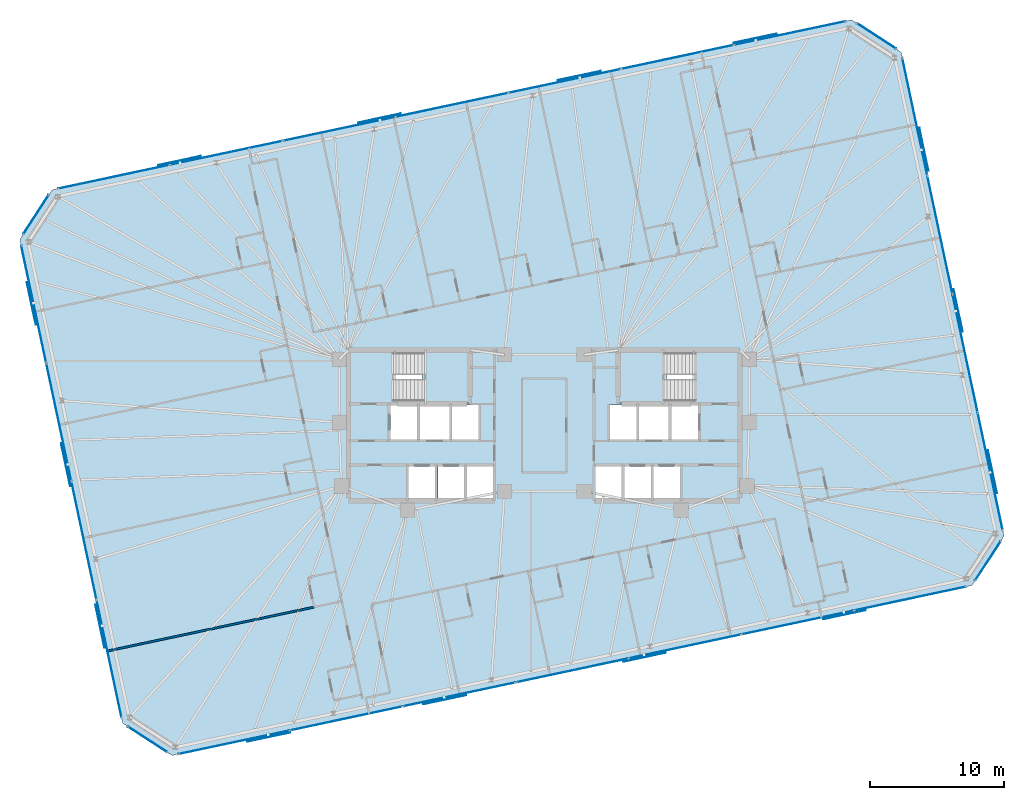
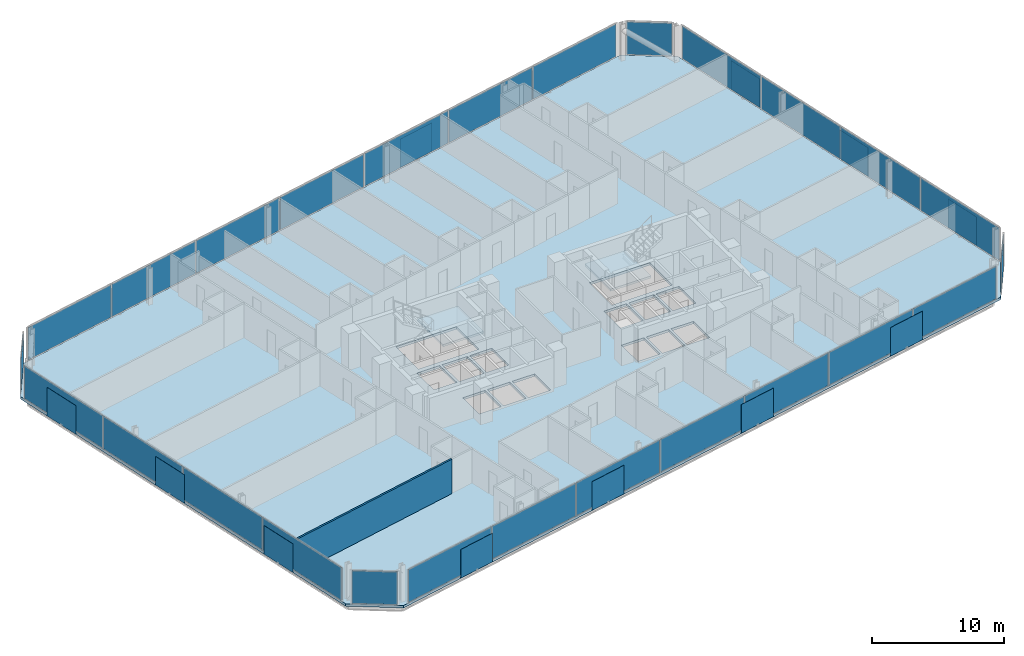
# One storey, part 13 of 20: 40 plates, 3 slabs, 1 wall, 10 elements without a shape of their own.
"""IFC4 building model written with IfcOpenShell, lengths in metres."""

import ifcopenshell
import ifcopenshell.guid

model = None  # the IFC model being written
_history = None  # IfcOwnerHistory: only IFC2X3 demands one
_inside = {}  # id of a spatial element -> (the spatial element, [elements in it])
_under = {}  # id of a project, library or spatial element -> (it, [spatial elements below it])
_declared = {}  # id of a project -> (the project, [libraries it declares])
_typed = {}  # id of a type object -> (the type object, [elements of that type])
_made_of = {}  # id of a material, layer set ... -> (it, [elements and type objects made of it])


def new_model(schema):
    """Start an empty IFC model of exactly this schema.

    Asked for "IFC4X3", IfcOpenShell would pick the latest addendum, in which some entities
    have other attributes; the version numbers below select the first issue.
    IFC2X3 requires an IfcOwnerHistory on every rooted entity: one is made here for all.
    """
    global model, _history
    if schema == "IFC4X3":
        model = ifcopenshell.file(schema_version=(4, 3, 0, 0))
    else:
        model = ifcopenshell.file(schema=schema)
    _inside.clear()
    _under.clear()
    _declared.clear()
    _typed.clear()
    _made_of.clear()
    _history = None
    if model.schema == "IFC2X3":
        org = make("IfcOrganization", Name="unknown")
        user = make(
            "IfcPersonAndOrganization",
            ThePerson=make("IfcPerson", FamilyName="unknown"),
            TheOrganization=org,
        )
        app = make(
            "IfcApplication",
            ApplicationDeveloper=org,
            Version="unknown",
            ApplicationFullName="unknown",
            ApplicationIdentifier="unknown",
        )
        _history = make(
            "IfcOwnerHistory",
            OwningUser=user,
            OwningApplication=app,
            ChangeAction="ADDED",
            CreationDate=0,
        )
    return model


def make(cls, **values):
    """One entity of the class cls with the attributes given. An attribute that is None is left unset."""
    return model.create_entity(
        cls, **{name: value for name, value in values.items() if value is not None}
    )


def rooted(cls, **values):
    """An entity with a GlobalId (a new one), such as an element, a storey or a relation."""
    return make(cls, GlobalId=ifcopenshell.guid.new(), OwnerHistory=_history, **values)


def si_unit(unit_type, name, prefix=None):
    """IfcSIUnit, for example si_unit("LENGTHUNIT", "METRE", prefix="MILLI")."""
    return make("IfcSIUnit", UnitType=unit_type, Prefix=prefix, Name=name)


def assignment(units):
    """IfcUnitAssignment: the units of a project."""
    return None if units is None else make("IfcUnitAssignment", Units=units)


def point(xyz):
    """IfcCartesianPoint."""
    return None if xyz is None else make("IfcCartesianPoint", Coordinates=xyz)


def direction(xyz):
    """IfcDirection."""
    return None if xyz is None else make("IfcDirection", DirectionRatios=xyz)


def frame(location, z_axis=None, x_axis=None):
    """IfcAxis2Placement3D, a coordinate frame: its origin and axes. An axis left out is left unset."""
    return make(
        "IfcAxis2Placement3D",
        Location=point(location),
        Axis=direction(z_axis),
        RefDirection=direction(x_axis),
    )


def frame_2d(location, x_axis=None):
    """IfcAxis2Placement2D, a coordinate frame in the plane: its origin and x axis."""
    return make(
        "IfcAxis2Placement2D", Location=point(location), RefDirection=direction(x_axis)
    )


def origin():
    """The frame at (0, 0, 0) with its axes left unset."""
    return frame((0.0, 0.0, 0.0))


def origin_2d():
    """The frame at (0, 0) in the plane with its x axis left unset."""
    return frame_2d((0.0, 0.0))


def place(relative_to, where):
    """IfcLocalPlacement: puts the frame where relative to a parent placement (None: the world)."""
    return make(
        "IfcLocalPlacement", PlacementRelTo=relative_to, RelativePlacement=where
    )


def context(
    kind, dimensions, precision=None, world=None, true_north=None, identifier=None
):
    """IfcGeometricRepresentationContext, for example the 3D "Model" context."""
    return make(
        "IfcGeometricRepresentationContext",
        ContextIdentifier=identifier,
        ContextType=kind,
        CoordinateSpaceDimension=dimensions,
        Precision=precision,
        WorldCoordinateSystem=world,
        TrueNorth=true_north,
    )


def subcontext(parent, identifier, kind, view, scale=None):
    """IfcGeometricRepresentationSubContext, for example "Body" below "Model"."""
    return make(
        "IfcGeometricRepresentationSubContext",
        ContextIdentifier=identifier,
        ContextType=kind,
        ParentContext=parent,
        TargetScale=scale,
        TargetView=view,
    )


def project(units=None, contexts=None):
    """IfcProject with its units and contexts."""
    return rooted(
        "IfcProject",
        Name="project",
        RepresentationContexts=contexts,
        UnitsInContext=assignment(units),
    )


def spatial(cls, under=None, at=None, **own):
    """A site, building, storey or space (cls), placed at a placement, below another one or the project."""
    s = rooted(cls, ObjectPlacement=at, **own)
    if under is not None:
        _under.setdefault(under.id(), (under, []))[1].append(s)
    return s


def polyline(points):
    """IfcPolyline through the points."""
    return make("IfcPolyline", Points=[point(p) for p in points])


def profile(cls, at=None, kind="AREA", **sizes):
    """A parametric profile (cls). Its sizes go by their IFC names, for example OverallWidth=200.0."""
    return make(cls, ProfileType=kind, Position=at, **sizes)


def rectangle(**sizes):
    """IfcRectangleProfileDef."""
    return profile("IfcRectangleProfileDef", **sizes)


def outline(outer, holes=None, kind="AREA"):
    """IfcArbitraryClosedProfileDef: a profile drawn as a closed curve; with holes, ...WithVoids."""
    if holes is None:
        return make("IfcArbitraryClosedProfileDef", ProfileType=kind, OuterCurve=outer)
    return make(
        "IfcArbitraryProfileDefWithVoids",
        ProfileType=kind,
        OuterCurve=outer,
        InnerCurves=holes,
    )


def extrude(swept, where, along, depth):
    """IfcExtrudedAreaSolid: the profile swept, set in the frame where, extruded along a direction by depth."""
    return make(
        "IfcExtrudedAreaSolid",
        SweptArea=swept,
        Position=where,
        ExtrudedDirection=direction(along),
        Depth=depth,
    )


def shape(context_of_items, identifier, shape_type, items):
    """IfcShapeRepresentation: the items that make up one representation, for example the "Body"."""
    return make(
        "IfcShapeRepresentation",
        ContextOfItems=context_of_items,
        RepresentationIdentifier=identifier,
        RepresentationType=shape_type,
        Items=items,
    )


def material(Name=None, Category=None):
    """IfcMaterial."""
    return make("IfcMaterial", Name=Name, Category=Category)


def layer(
    of_material, thickness, ventilated=None, Name=None, Category=None, Priority=None
):
    """IfcMaterialLayer: one layer of a wall or slab, of a material (None: an air gap)."""
    return make(
        "IfcMaterialLayer",
        Material=of_material,
        LayerThickness=thickness,
        IsVentilated=ventilated,
        Name=Name,
        Category=Category,
        Priority=Priority,
    )


def layer_set(layers, Name=None):
    """IfcMaterialLayerSet."""
    return make("IfcMaterialLayerSet", MaterialLayers=layers, LayerSetName=Name)


def made_of(thing, what):
    """Note that an element or type object is made of a material, layer set ...; save() writes the relation."""
    if what is not None:
        _made_of.setdefault(what.id(), (what, []))[1].append(thing)
    return thing


def type_object(cls, material=None, **own):
    """A type object (cls), such as IfcWallType, which elements share."""
    return made_of(rooted(cls, **own), material)


def element(
    cls,
    number,
    at=None,
    inside=None,
    cuts=None,
    type_object=None,
    material=None,
    context=None,
    identifier="Body",
    shape_type=None,
    held_by="IfcProductDefinitionShape",
    body=None,
    shapes=None,
    **own,
):
    """One element of the class cls, such as IfcWall. Its Tag is "e" and its number.

    at: its placement. inside: the storey or other place that contains it. cuts: it is an
    opening in that element (IfcRelVoidsElement). A single representation is given by context,
    identifier, shape_type and body (its items); several are given by shapes. held_by: the class
    of the entity that holds the representations. save() writes the other relations.
    """
    e = rooted(cls, Tag="e%d" % number, ObjectPlacement=at, **own)
    if body is not None:
        shapes = [shape(context, identifier, shape_type, body)]
    if shapes is not None:
        e.Representation = make(held_by, Representations=shapes)
    if inside is not None:
        _inside.setdefault(inside.id(), (inside, []))[1].append(e)
    if cuts is not None:
        rooted(
            "IfcRelVoidsElement", RelatingBuildingElement=cuts, RelatedOpeningElement=e
        )
    if type_object is not None:
        _typed.setdefault(type_object.id(), (type_object, []))[1].append(e)
    return made_of(e, material)


def aggregate(whole, parts):
    """IfcRelAggregates: a whole, such as a stair, and the parts it consists of."""
    return rooted("IfcRelAggregates", RelatingObject=whole, RelatedObjects=parts)


def save(model, path):
    """Write the relations noted so far, then the file.

    IfcRelAggregates (storeys below a building ...), IfcRelContainedInSpatialStructure (elements
    in a storey), IfcRelDefinesByType, IfcRelAssociatesMaterial and IfcRelDeclares: one each for
    every whole, place, type object, material and project.
    """
    for whole, parts in _under.values():
        aggregate(whole, parts)
    for where, things in _inside.values():
        rooted(
            "IfcRelContainedInSpatialStructure",
            RelatedElements=things,
            RelatingStructure=where,
        )
    for kind, things in _typed.values():
        rooted("IfcRelDefinesByType", RelatedObjects=things, RelatingType=kind)
    for what, things in _made_of.values():
        rooted("IfcRelAssociatesMaterial", RelatedObjects=things, RelatingMaterial=what)
    for by, libraries in _declared.values():
        rooted("IfcRelDeclares", RelatingContext=by, RelatedDefinitions=libraries)
    model.write(path)


model = new_model("IFC4")

# Units and contexts
model_context = context("Model", 3, precision=1e-05, world=origin(), true_north=direction((0.0, 1.0)))
body_context = subcontext(model_context, "Body", "Model", "MODEL_VIEW")
ifc_project = project(units=[si_unit("LENGTHUNIT", "METRE"), si_unit("AREAUNIT", "SQUARE_METRE"), si_unit("VOLUMEUNIT", "CUBIC_METRE"), si_unit("PLANEANGLEUNIT", "RADIAN"), si_unit("MASSUNIT", "GRAM", prefix="KILO")], contexts=[model_context])

# Site, building, storey
site_placement = place(None, origin())
site = spatial("IfcSite", under=ifc_project, at=site_placement, CompositionType="ELEMENT")
building_placement = place(site_placement, origin())
building = spatial("IfcBuilding", under=site, at=building_placement, Name="Menara Jurai Vektor", CompositionType="ELEMENT")
storey_placement = place(building_placement, frame((0.0, 0.0, 158.199951171875)))
storey = spatial("IfcBuildingStorey", under=building, at=storey_placement, Name="L40", CompositionType="ELEMENT", Elevation=158.199951171875)

# Curtain wall, plates
ifc_material_1 = material(Name="Anodised Pale Aluminium & Low-E Double Glazing", Category="aluminium")
curtain_wall_type = type_object("IfcCurtainWallType", Name="CW-BLK3", PredefinedType="NOTDEFINED", material=ifc_material_1)
curtain_wall_1_placement = place(storey_placement, origin())
curtain_wall_1 = element("IfcCurtainWall", 1, at=curtain_wall_1_placement, inside=storey, type_object=curtain_wall_type, Name="Unitised Curtain Wall L40 F01", PredefinedType="NOTDEFINED")
ifc_material_2 = material(Name="Low-E Solar-Control Double Glazed Unit", Category="glass")
ifc_layer_1 = layer(ifc_material_2, 0.031982421875)
ifc_layer_set_1 = layer_set([ifc_layer_1], Name="Low-E Solar-Control Double Glazed Unit")
plate_type_1 = type_object("IfcPlateType", Name="CW-BLK3-PNL", PredefinedType="CURTAIN_PANEL", material=ifc_layer_set_1)
plate_1_placement = place(storey_placement, frame((-23.078369140625, -23.57568359375, 0.085205078125), z_axis=(0.0, 0.0, 1.0), x_axis=(0.978147674419, 0.207911344156, 0.0)))
plate_1 = element("IfcPlate", 2, at=plate_1_placement, type_object=plate_type_1, Name="CW-03 panel 1.1", PredefinedType="CURTAIN_PANEL", context=body_context, shape_type="SweptSolid", body=[
    extrude(rectangle(XDim=8.44970703125, YDim=0.031982421875, at=origin_2d()), origin(), (0.0, 0.0, 1.0), 3.0048828125),
])
plate_2_placement = place(storey_placement, frame((-14.709228515625, -21.796875, 0.085205078125), z_axis=(0.0, 0.0, 1.0), x_axis=(0.978147674419, 0.207911344156, 0.0)))
plate_2 = element("IfcPlate", 3, at=plate_2_placement, type_object=plate_type_1, Name="CW-03 panel 2.1", PredefinedType="CURTAIN_PANEL", context=body_context, shape_type="SweptSolid", body=[
    extrude(rectangle(XDim=8.4921875, YDim=0.031982421875, at=origin_2d()), origin(), (0.0, 0.0, 1.0), 3.0048828125),
])
plate_3_placement = place(storey_placement, frame((-6.319580078125, -20.013427734375, 0.085205078125), z_axis=(0.0, 0.0, 1.0), x_axis=(0.978147674419, 0.207911344156, 0.0)))
plate_3 = element("IfcPlate", 4, at=plate_3_placement, type_object=plate_type_1, Name="CW-03 panel 3.1", PredefinedType="CURTAIN_PANEL", context=body_context, shape_type="SweptSolid", body=[
    extrude(rectangle(XDim=8.4921875, YDim=0.031982421875, at=origin_2d()), origin(), (0.0, 0.0, 1.0), 3.0048828125),
])
plate_4_placement = place(storey_placement, frame((2.070068359375, -18.230224609375, 0.085205078125), z_axis=(0.0, 0.0, 1.0), x_axis=(0.978147674419, 0.207911344156, 0.0)))
plate_4 = element("IfcPlate", 5, at=plate_4_placement, type_object=plate_type_1, Name="CW-03 panel 4.1", PredefinedType="CURTAIN_PANEL", context=body_context, shape_type="SweptSolid", body=[
    extrude(rectangle(XDim=8.4921875, YDim=0.031982421875, at=origin_2d()), origin(), (0.0, 0.0, 1.0), 3.0048828125),
])
plate_5_placement = place(storey_placement, frame((10.459716796875, -16.447021484375, 0.085205078125), z_axis=(0.0, 0.0, 1.0), x_axis=(0.978147674419, 0.207911344156, 0.0)))
plate_5 = element("IfcPlate", 6, at=plate_5_placement, type_object=plate_type_1, Name="CW-03 panel 5.1", PredefinedType="CURTAIN_PANEL", context=body_context, shape_type="SweptSolid", body=[
    extrude(rectangle(XDim=8.4921875, YDim=0.031982421875, at=origin_2d()), origin(), (0.0, 0.0, 1.0), 3.0048828125),
])
plate_6_placement = place(storey_placement, frame((18.849609375, -14.66357421875, 0.085205078125), z_axis=(0.0, 0.0, 1.0), x_axis=(0.978147674419, 0.207911344156, 0.0)))
plate_6 = element("IfcPlate", 7, at=plate_6_placement, type_object=plate_type_1, Name="CW-03 panel 6.1", PredefinedType="CURTAIN_PANEL", context=body_context, shape_type="SweptSolid", body=[
    extrude(rectangle(XDim=8.4921875, YDim=0.031982421875, at=origin_2d()), origin(), (0.0, 0.0, 1.0), 3.0048828125),
])
plate_7_placement = place(storey_placement, frame((27.218505859375, -12.884765625, 0.085205078125), z_axis=(0.0, 0.0, 1.0), x_axis=(0.978147674419, 0.207911344156, 0.0)))
plate_7 = element("IfcPlate", 8, at=plate_7_placement, type_object=plate_type_1, Name="CW-03 panel 7.1", PredefinedType="CURTAIN_PANEL", context=body_context, shape_type="SweptSolid", body=[
    extrude(rectangle(XDim=8.44970703125, YDim=0.031982421875, at=origin_2d()), origin(), (0.0, 0.0, 1.0), 3.0048828125),
])
aggregate(curtain_wall_1, [plate_1, plate_2, plate_3, plate_4, plate_5, plate_6, plate_7])

curtain_wall_2_placement = place(storey_placement, origin())
curtain_wall_2 = element("IfcCurtainWall", 9, at=curtain_wall_2_placement, inside=storey, type_object=curtain_wall_type, Name="Unitised Curtain Wall L40 F03", PredefinedType="NOTDEFINED")
plate_8_placement = place(storey_placement, frame((33.17333984375, -3.433837890625, 0.085205078125), z_axis=(0.0, 0.0, 1.0), x_axis=(-0.20791035839, 0.978147883949, 0.0)))
plate_8 = element("IfcPlate", 10, at=plate_8_placement, type_object=plate_type_1, Name="CW-03 panel 1.1", PredefinedType="CURTAIN_PANEL", context=body_context, shape_type="SweptSolid", body=[
    extrude(rectangle(XDim=8.882568359375, YDim=0.031982421875, at=origin_2d()), origin(), (0.0, 0.0, 1.0), 3.0048828125),
])
plate_9_placement = place(storey_placement, frame((31.3046875, 5.3583984375, 0.085205078125), z_axis=(0.0, 0.0, 1.0), x_axis=(-0.20791035839, 0.978147883949, 0.0)))
plate_9 = element("IfcPlate", 11, at=plate_9_placement, type_object=plate_type_1, Name="CW-03 panel 2.1", PredefinedType="CURTAIN_PANEL", context=body_context, shape_type="SweptSolid", body=[
    extrude(rectangle(XDim=8.925048828125, YDim=0.031982421875, at=origin_2d()), origin(), (0.0, 0.0, 1.0), 3.0048828125),
])
plate_10_placement = place(storey_placement, frame((29.431396484375, 14.171630859375, 0.085205078125), z_axis=(0.0, 0.0, 1.0), x_axis=(-0.20791035839, 0.978147883949, 0.0)))
plate_10 = element("IfcPlate", 12, at=plate_10_placement, type_object=plate_type_1, Name="CW-03 panel 3.1", PredefinedType="CURTAIN_PANEL", context=body_context, shape_type="SweptSolid", body=[
    extrude(rectangle(XDim=8.925048828125, YDim=0.031982421875, at=origin_2d()), origin(), (0.0, 0.0, 1.0), 3.0048828125),
])
plate_11_placement = place(storey_placement, frame((27.5625, 22.9638671875, 0.085205078125), z_axis=(0.0, 0.0, 1.0), x_axis=(-0.20791035839, 0.978147883949, 0.0)))
plate_11 = element("IfcPlate", 13, at=plate_11_placement, type_object=plate_type_1, Name="CW-03 panel 4.1", PredefinedType="CURTAIN_PANEL", context=body_context, shape_type="SweptSolid", body=[
    extrude(rectangle(XDim=8.882568359375, YDim=0.031982421875, at=origin_2d()), origin(), (0.0, 0.0, 1.0), 3.0048828125),
])
aggregate(curtain_wall_2, [plate_8, plate_9, plate_10, plate_11])

curtain_wall_3_placement = place(storey_placement, origin())
curtain_wall_3 = element("IfcCurtainWall", 14, at=curtain_wall_3_placement, inside=storey, type_object=curtain_wall_type, Name="Unitised Curtain Wall L40 F05", PredefinedType="NOTDEFINED")
plate_12_placement = place(storey_placement, frame((18.2783203125, 29.175537109375, 0.085205078125), z_axis=(0.0, 0.0, 1.0), x_axis=(-0.978147674419, -0.207911344156, 0.0)))
plate_12 = element("IfcPlate", 15, at=plate_12_placement, type_object=plate_type_1, Name="CW-03 panel 1.1", PredefinedType="CURTAIN_PANEL", context=body_context, shape_type="SweptSolid", body=[
    extrude(rectangle(XDim=8.44970703125, YDim=0.031982421875, at=origin_2d()), origin(), (0.0, 0.0, 1.0), 3.0048828125),
])
plate_13_placement = place(storey_placement, frame((9.909423828125, 27.396728515625, 0.085205078125), z_axis=(0.0, 0.0, 1.0), x_axis=(-0.978147674419, -0.207911344156, 0.0)))
plate_13 = element("IfcPlate", 16, at=plate_13_placement, type_object=plate_type_1, Name="CW-03 panel 2.1", PredefinedType="CURTAIN_PANEL", context=body_context, shape_type="SweptSolid", body=[
    extrude(rectangle(XDim=8.4921875, YDim=0.031982421875, at=origin_2d()), origin(), (0.0, 0.0, 1.0), 3.0048828125),
])
plate_14_placement = place(storey_placement, frame((1.51953125, 25.613525390625, 0.085205078125), z_axis=(0.0, 0.0, 1.0), x_axis=(-0.978147674419, -0.207911344156, 0.0)))
plate_14 = element("IfcPlate", 17, at=plate_14_placement, type_object=plate_type_1, Name="CW-03 panel 3.1", PredefinedType="CURTAIN_PANEL", context=body_context, shape_type="SweptSolid", body=[
    extrude(rectangle(XDim=8.4921875, YDim=0.031982421875, at=origin_2d()), origin(), (0.0, 0.0, 1.0), 3.0048828125),
])
plate_15_placement = place(storey_placement, frame((-6.8701171875, 23.830078125, 0.085205078125), z_axis=(0.0, 0.0, 1.0), x_axis=(-0.978147674419, -0.207911344156, 0.0)))
plate_15 = element("IfcPlate", 18, at=plate_15_placement, type_object=plate_type_1, Name="CW-03 panel 4.1", PredefinedType="CURTAIN_PANEL", context=body_context, shape_type="SweptSolid", body=[
    extrude(rectangle(XDim=8.4921875, YDim=0.031982421875, at=origin_2d()), origin(), (0.0, 0.0, 1.0), 3.0048828125),
])
plate_16_placement = place(storey_placement, frame((-15.259765625, 22.046875, 0.085205078125), z_axis=(0.0, 0.0, 1.0), x_axis=(-0.978147674419, -0.207911344156, 0.0)))
plate_16 = element("IfcPlate", 19, at=plate_16_placement, type_object=plate_type_1, Name="CW-03 panel 5.1", PredefinedType="CURTAIN_PANEL", context=body_context, shape_type="SweptSolid", body=[
    extrude(rectangle(XDim=8.4921875, YDim=0.031982421875, at=origin_2d()), origin(), (0.0, 0.0, 1.0), 3.0048828125),
])
plate_17_placement = place(storey_placement, frame((-23.6494140625, 20.263671875, 0.085205078125), z_axis=(0.0, 0.0, 1.0), x_axis=(-0.978147674419, -0.207911344156, 0.0)))
plate_17 = element("IfcPlate", 20, at=plate_17_placement, type_object=plate_type_1, Name="CW-03 panel 6.1", PredefinedType="CURTAIN_PANEL", context=body_context, shape_type="SweptSolid", body=[
    extrude(rectangle(XDim=8.4921875, YDim=0.031982421875, at=origin_2d()), origin(), (0.0, 0.0, 1.0), 3.0048828125),
])
plate_18_placement = place(storey_placement, frame((-32.0185546875, 18.48486328125, 0.085205078125), z_axis=(0.0, 0.0, 1.0), x_axis=(-0.978147674419, -0.207911344156, 0.0)))
plate_18 = element("IfcPlate", 21, at=plate_18_placement, type_object=plate_type_1, Name="CW-03 panel 7.1", PredefinedType="CURTAIN_PANEL", context=body_context, shape_type="SweptSolid", body=[
    extrude(rectangle(XDim=8.44970703125, YDim=0.031982421875, at=origin_2d()), origin(), (0.0, 0.0, 1.0), 3.0048828125),
])
aggregate(curtain_wall_3, [plate_12, plate_13, plate_14, plate_15, plate_16, plate_17, plate_18])

curtain_wall_4_placement = place(storey_placement, origin())
curtain_wall_4 = element("IfcCurtainWall", 22, at=curtain_wall_4_placement, inside=storey, type_object=curtain_wall_type, Name="Unitised Curtain Wall L40 F07", PredefinedType="NOTDEFINED")
plate_19_placement = place(storey_placement, frame((-37.973388671875, 9.033935546875, 0.085205078125), z_axis=(0.0, 0.0, 1.0), x_axis=(0.20791035839, -0.978147883949, 0.0)))
plate_19 = element("IfcPlate", 23, at=plate_19_placement, type_object=plate_type_1, Name="CW-03 panel 1.1", PredefinedType="CURTAIN_PANEL", context=body_context, shape_type="SweptSolid", body=[
    extrude(rectangle(XDim=8.882568359375, YDim=0.031982421875, at=origin_2d()), origin(), (0.0, 0.0, 1.0), 3.0048828125),
])
plate_20_placement = place(storey_placement, frame((-36.1044921875, 0.241455078125, 0.085205078125), z_axis=(0.0, 0.0, 1.0), x_axis=(0.20791035839, -0.978147883949, 0.0)))
plate_20 = element("IfcPlate", 24, at=plate_20_placement, type_object=plate_type_1, Name="CW-03 panel 2.1", PredefinedType="CURTAIN_PANEL", context=body_context, shape_type="SweptSolid", body=[
    extrude(rectangle(XDim=8.925048828125, YDim=0.031982421875, at=origin_2d()), origin(), (0.0, 0.0, 1.0), 3.0048828125),
])
plate_21_placement = place(storey_placement, frame((-34.231201171875, -8.571533203125, 0.085205078125), z_axis=(0.0, 0.0, 1.0), x_axis=(0.20791035839, -0.978147883949, 0.0)))
plate_21 = element("IfcPlate", 25, at=plate_21_placement, type_object=plate_type_1, Name="CW-03 panel 3.1", PredefinedType="CURTAIN_PANEL", context=body_context, shape_type="SweptSolid", body=[
    extrude(rectangle(XDim=8.925048828125, YDim=0.031982421875, at=origin_2d()), origin(), (0.0, 0.0, 1.0), 3.0048828125),
])
plate_22_placement = place(storey_placement, frame((-32.362548828125, -17.364013671875, 0.085205078125), z_axis=(0.0, 0.0, 1.0), x_axis=(0.20791035839, -0.978147883949, 0.0)))
plate_22 = element("IfcPlate", 26, at=plate_22_placement, type_object=plate_type_1, Name="CW-03 panel 4.1", PredefinedType="CURTAIN_PANEL", context=body_context, shape_type="SweptSolid", body=[
    extrude(rectangle(XDim=8.882568359375, YDim=0.031982421875, at=origin_2d()), origin(), (0.0, 0.0, 1.0), 3.0048828125),
])
aggregate(curtain_wall_4, [plate_19, plate_20, plate_21, plate_22])

# Curtain wall, plate
curtain_wall_5_placement = place(storey_placement, origin())
curtain_wall_5 = element("IfcCurtainWall", 27, at=curtain_wall_5_placement, inside=storey, type_object=curtain_wall_type, Name="Unitised Curtain Wall L40 F02", PredefinedType="NOTDEFINED")
ifc_material_3 = material(Name="Insulated Pale Aluminium Spandrel Panel", Category="aluminium")
ifc_layer_2 = layer(ifc_material_3, 0.06005859375)
ifc_layer_set_2 = layer_set([ifc_layer_2], Name="Insulated Pale Aluminium Spandrel Panel")
plate_type_2 = type_object("IfcPlateType", Name="CW-PNL-SP", PredefinedType="CURTAIN_PANEL", material=ifc_layer_set_2)
plate_23_placement = place(storey_placement, frame((32.999755859375, -10.0712890625, 0.085205078125), z_axis=(0.0, 0.0, 1.0), x_axis=(0.544617794346, 0.838684361415, 0.0)))
plate_23 = element("IfcPlate", 28, at=plate_23_placement, type_object=plate_type_2, Name="CW-03 panel 1.1", PredefinedType="CURTAIN_PANEL", context=body_context, shape_type="SweptSolid", body=[
    extrude(rectangle(XDim=3.4541015625, YDim=0.06005859375, at=origin_2d()), origin(), (0.0, 0.0, 1.0), 3.0048828125),
])
aggregate(curtain_wall_5, [plate_23])

curtain_wall_6_placement = place(storey_placement, origin())
curtain_wall_6 = element("IfcCurtainWall", 29, at=curtain_wall_6_placement, inside=storey, type_object=curtain_wall_type, Name="Unitised Curtain Wall L40 F04", PredefinedType="NOTDEFINED")
plate_24_placement = place(storey_placement, frame((24.7041015625, 28.956787109375, 0.085205078125), z_axis=(0.0, 0.0, 1.0), x_axis=(-0.838684361415, 0.544617794346, 0.0)))
plate_24 = element("IfcPlate", 30, at=plate_24_placement, type_object=plate_type_2, Name="CW-03 panel 1.1", PredefinedType="CURTAIN_PANEL", context=body_context, shape_type="SweptSolid", body=[
    extrude(rectangle(XDim=3.4541015625, YDim=0.06005859375, at=origin_2d()), origin(), (0.0, 0.0, 1.0), 3.0048828125),
])
aggregate(curtain_wall_6, [plate_24])

curtain_wall_7_placement = place(storey_placement, origin())
curtain_wall_7 = element("IfcCurtainWall", 31, at=curtain_wall_7_placement, inside=storey, type_object=curtain_wall_type, Name="Unitised Curtain Wall L40 F06", PredefinedType="NOTDEFINED")
plate_25_placement = place(storey_placement, frame((-37.799560546875, 15.67138671875, 0.085205078125), z_axis=(0.0, 0.0, 1.0), x_axis=(-0.544617794346, -0.838684361415, 0.0)))
plate_25 = element("IfcPlate", 32, at=plate_25_placement, type_object=plate_type_2, Name="CW-03 panel 1.1", PredefinedType="CURTAIN_PANEL", context=body_context, shape_type="SweptSolid", body=[
    extrude(rectangle(XDim=3.4541015625, YDim=0.06005859375, at=origin_2d()), origin(), (0.0, 0.0, 1.0), 3.0048828125),
])
aggregate(curtain_wall_7, [plate_25])

curtain_wall_8_placement = place(storey_placement, origin())
curtain_wall_8 = element("IfcCurtainWall", 33, at=curtain_wall_8_placement, inside=storey, type_object=curtain_wall_type, Name="Unitised Curtain Wall L40 F08", PredefinedType="NOTDEFINED")
plate_26_placement = place(storey_placement, frame((-29.50390625, -23.35693359375, 0.085205078125), z_axis=(0.0, 0.0, 1.0), x_axis=(0.838684361415, -0.544617794346, 0.0)))
plate_26 = element("IfcPlate", 34, at=plate_26_placement, type_object=plate_type_2, Name="CW-03 panel 1.1", PredefinedType="CURTAIN_PANEL", context=body_context, shape_type="SweptSolid", body=[
    extrude(rectangle(XDim=3.4541015625, YDim=0.06005859375, at=origin_2d()), origin(), (0.0, 0.0, 1.0), 3.0048828125),
])
aggregate(curtain_wall_8, [plate_26])

# Plates
ifc_material_4 = material(Name="Anodised Pale Aluminium Perforated Screen", Category="aluminium")
ifc_layer_3 = layer(ifc_material_4, 0.02294921875)
ifc_layer_set_3 = layer_set([ifc_layer_3], Name="Anodised Pale Aluminium Perforated Screen")
plate_type_3 = type_object("IfcPlateType", Name="ENV-PLT-SCREEN-MID", PredefinedType="USERDEFINED", material=ifc_layer_set_3)
for number, where, z_axis, x_axis, name in (
    (35, (-20.495849609375, -23.190185546875, -0.0498046875), (0.0, 0.0, 1.0), (0.978147600734, 0.207911690818, 0.0), "Perforated Pale-Metal Solar Screen L40-S01"),
    (36, (-7.412109375, -20.4091796875, -0.0498046875), (0.0, 0.0, 1.0), (0.978147600734, 0.207911690818, 0.0), "Perforated Pale-Metal Solar Screen L40-S02"),
    (37, (7.455810546875, -17.2490234375, -0.0498046875), (0.0, 0.0, 1.0), (0.978147600734, 0.207911690818, 0.0), "Perforated Pale-Metal Solar Screen L40-S03"),
    (38, (22.323486328125, -14.0888671875, -0.0498046875), (0.0, 0.0, 1.0), (0.978147600734, 0.207911690818, 0.0), "Perforated Pale-Metal Solar Screen L40-S04"),
    (39, (33.342529296875, -3.460205078125, -0.0498046875), (0.0, 0.0, 1.0), (-0.207911690818, 0.978147600734, 0.0), "Perforated Pale-Metal Solar Screen L40-S05"),
    (40, (30.792236328125, 8.53857421875, -0.0498046875), (0.0, 0.0, 1.0), (-0.207911690818, 0.978147600734, 0.0), "Perforated Pale-Metal Solar Screen L40-S06"),
    (41, (28.241943359375, 20.537109375, -0.0498046875), (0.0, 0.0, 1.0), (-0.207911690818, 0.978147600734, 0.0), "Perforated Pale-Metal Solar Screen L40-S07"),
    (42, (15.69580078125, 28.790283203125, -0.0498046875), (0.0, 0.0, 1.0), (-0.978147600734, -0.207911690818, 0.0), "Perforated Pale-Metal Solar Screen L40-S08"),
    (43, (2.612060546875, 26.00927734375, -0.0498046875), (0.0, 0.0, 1.0), (-0.978147600734, -0.207911690818, 0.0), "Perforated Pale-Metal Solar Screen L40-S09"),
    (44, (-12.255859375, 22.84912109375, -0.0498046875), (0.0, 0.0, 1.0), (-0.978147600734, -0.207911690818, 0.0), "Perforated Pale-Metal Solar Screen L40-S10"),
    (45, (-27.12353515625, 19.688720703125, -0.0498046875), (0.0, 0.0, 1.0), (-0.978147600734, -0.207911690818, 0.0), "Perforated Pale-Metal Solar Screen L40-S11"),
    (46, (-38.142578125, 9.060302734375, -0.0498046875), (0.0, 0.0, 1.0), (0.207911690818, -0.978147600734, 0.0), "Perforated Pale-Metal Solar Screen L40-S12"),
    (47, (-35.59228515625, -2.9384765625, -0.0498046875), (0.0, 0.0, 1.0), (0.207911690818, -0.978147600734, 0.0), "Perforated Pale-Metal Solar Screen L40-S13"),
    (48, (-33.0419921875, -14.93701171875, -0.0498046875), (0.0, 0.0, 1.0), (0.207911690818, -0.978147600734, 0.0), "Perforated Pale-Metal Solar Screen L40-S14"),
):
    element("IfcPlate", number, at=place(storey_placement, frame(where, z_axis=z_axis, x_axis=x_axis)), inside=storey, type_object=plate_type_3, Name=name, ObjectType="SCREEN", PredefinedType="USERDEFINED", context=body_context, shape_type="SweptSolid", body=[
        extrude(rectangle(XDim=3.25, YDim=0.02294921875, at=origin_2d()), origin(), (0.0, 0.0, 1.0), 2.64990234375),
    ])

# Stair, slab
ifc_material_5 = material(Name="Concrete C40/50", Category="concrete")
stair_type = type_object("IfcStairType", Name="STAIR-DOGLEG-1500", PredefinedType="HALF_TURN_STAIR", material=ifc_material_5)
stair_1_placement = place(storey_placement, origin())
stair_1 = element("IfcStair", 49, at=stair_1_placement, inside=storey, type_object=stair_type, Name="Protected Exit Stair ST1 L40", PredefinedType="HALF_TURN_STAIR")
ifc_layer_4 = layer(ifc_material_5, 0.199951171875)
ifc_layer_set_4 = layer_set([ifc_layer_4], Name="Concrete C40/50")
slab_type_1 = type_object("IfcSlabType", Name="STAIR-LANDING-200", PredefinedType="LANDING", material=ifc_layer_set_4)
slab_1_placement = place(storey_placement, frame((0.0, 0.0, 1.5)))
slab_1 = element("IfcSlab", 50, at=slab_1_placement, type_object=slab_type_1, Name="ST1 landing 1", PredefinedType="LANDING", context=body_context, shape_type="SweptSolid", body=[
    extrude(outline(polyline([(-9.080078125, 1.64990234375), (-5.550048828125, 1.64990234375), (-5.550048828125, 5.550048828125), (-9.080078125, 5.550048828125), (-9.080078125, 1.64990234375)])), origin(), (0.0, 0.0, 1.0), 0.199951171875),
])
aggregate(stair_1, [slab_1])

stair_2_placement = place(storey_placement, origin())
stair_2 = element("IfcStair", 51, at=stair_2_placement, inside=storey, type_object=stair_type, Name="Protected Exit Stair ST2 L40", PredefinedType="HALF_TURN_STAIR")
slab_2_placement = place(storey_placement, frame((0.0, 0.0, 1.5)))
slab_2 = element("IfcSlab", 52, at=slab_2_placement, type_object=slab_type_1, Name="ST2 landing 1", PredefinedType="LANDING", context=body_context, shape_type="SweptSolid", body=[
    extrude(outline(polyline([(5.550048828125, 1.64990234375), (9.080078125, 1.64990234375), (9.080078125, 5.550048828125), (5.550048828125, 5.550048828125), (5.550048828125, 1.64990234375)])), origin(), (0.0, 0.0, 1.0), 0.199951171875),
])
aggregate(stair_2, [slab_2])

# Slab
ifc_layer_5 = layer(ifc_material_5, 0.22509765625)
ifc_layer_set_5 = layer_set([ifc_layer_5], Name="Concrete C40/50")
slab_type_2 = type_object("IfcSlabType", Name="STR-SLAB-TYP200", PredefinedType="FLOOR", material=ifc_layer_set_5)
slab_3_placement = place(storey_placement, frame((0.0, 0.0, -0.224853515625)))
element("IfcSlab", 53, at=slab_3_placement, inside=storey, type_object=slab_type_2, Name="Composite Floor Slab L40", PredefinedType="FLOOR", context=body_context, shape_type="SweptSolid", body=[
    extrude(outline(polyline([(-27.66552734375, -24.55078125), (31.805908203125, -11.90966796875), (34.193603515625, -8.23291015625), (26.54248046875, 27.762939453125), (22.865478515625, 30.150634765625), (-36.605712890625, 17.509765625), (-38.993408203125, 13.8330078125), (-31.34228515625, -22.1630859375), (-27.66552734375, -24.55078125)]), holes=[polyline([(-11.10009765625, 1.89990234375), (-11.10009765625, 5.300048828125), (-5.800048828125, 5.300048828125), (-5.800048828125, 1.89990234375), (-11.10009765625, 1.89990234375)]), polyline([(5.800048828125, 1.89990234375), (5.800048828125, 5.300048828125), (11.10009765625, 5.300048828125), (11.10009765625, 1.89990234375), (5.800048828125, 1.89990234375)]), polyline([(-11.449951171875, -1.050048828125), (-11.449951171875, 1.5), (-9.449951171875, 1.5), (-9.449951171875, -1.050048828125), (-11.449951171875, -1.050048828125)]), polyline([(9.449951171875, -1.050048828125), (9.449951171875, 1.5), (11.449951171875, 1.5), (11.449951171875, -1.050048828125), (9.449951171875, -1.050048828125)]), polyline([(-5.760009765625, -5.5), (-5.760009765625, -3.050048828125), (-3.800048828125, -3.050048828125), (-3.800048828125, -5.5), (-5.760009765625, -5.5)]), polyline([(-6.85009765625, -1.050048828125), (-6.85009765625, 1.5), (-4.889892578125, 1.5), (-4.889892578125, -1.050048828125), (-6.85009765625, -1.050048828125)]), polyline([(3.800048828125, -5.5), (3.800048828125, -3.050048828125), (5.760009765625, -3.050048828125), (5.760009765625, -5.5), (3.800048828125, -5.5)]), polyline([(4.889892578125, -1.050048828125), (4.889892578125, 1.5), (6.85009765625, 1.5), (6.85009765625, -1.050048828125), (4.889892578125, -1.050048828125)]), polyline([(-10.080078125, -5.5), (-10.080078125, -3.050048828125), (-8.1201171875, -3.050048828125), (-8.1201171875, -5.5), (-10.080078125, -5.5)]), polyline([(-7.919921875, -5.5), (-7.919921875, -3.050048828125), (-5.9599609375, -3.050048828125), (-5.9599609375, -5.5), (-7.919921875, -5.5)]), polyline([(5.9599609375, -5.5), (5.9599609375, -3.050048828125), (7.919921875, -3.050048828125), (7.919921875, -5.5), (5.9599609375, -5.5)]), polyline([(8.1201171875, -5.5), (8.1201171875, -3.050048828125), (10.080078125, -3.050048828125), (10.080078125, -5.5), (8.1201171875, -5.5)]), polyline([(-9.25, -1.050048828125), (-9.25, 1.5), (-7.050048828125, 1.5), (-7.050048828125, -1.050048828125), (-9.25, -1.050048828125)]), polyline([(7.050048828125, -1.050048828125), (7.050048828125, 1.5), (9.25, 1.5), (9.25, -1.050048828125), (7.050048828125, -1.050048828125)])]), origin(), (0.0, 0.0, 1.0), 0.224853515625),
])

# Wall
ifc_material_6 = material(Name="Gypsum Fireboard Partition", Category="gypsum")
ifc_layer_6 = layer(ifc_material_6, 0.14990234375)
ifc_layer_set_6 = layer_set([ifc_layer_6], Name="Gypsum Fireboard Partition")
wall_type = type_object("IfcWallType", Name="INT-WALL-CORR-150", PredefinedType="PARTITIONING", material=ifc_layer_set_6)
wall_placement = place(storey_placement, frame((-32.48583984375, -16.783203125, 0.0), z_axis=(0.0, 0.0, 1.0), x_axis=(0.978146137903, 0.207918572776, 0.0)))
element("IfcWall", 54, at=wall_placement, inside=storey, type_object=wall_type, Name="Interior Wall IW-150 L40", PredefinedType="PARTITIONING", context=body_context, shape_type="SweptSolid", body=[
    extrude(rectangle(XDim=15.718017578125, YDim=0.14990234375, at=frame_2d((7.85888671875, 0.0))), origin(), (0.0, 0.0, 1.0), 3.175048828125),
])

save(model, "model.ifc")
